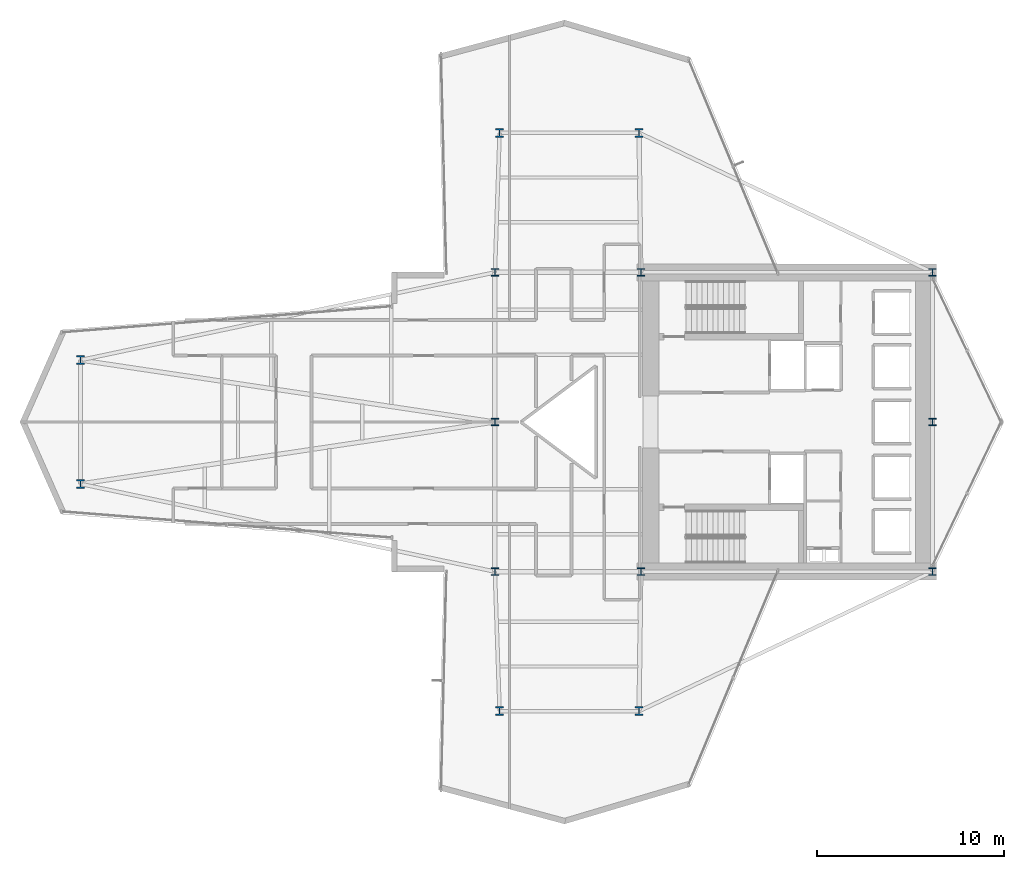
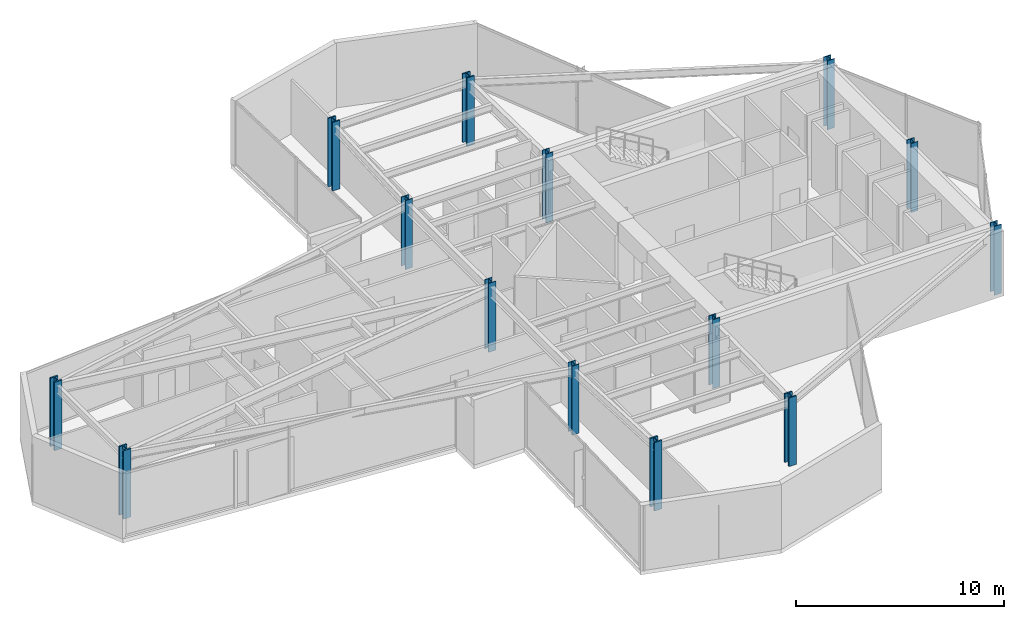
# One storey, part 1 of 25: 14 columns.
"""IFC4 building model written with IfcOpenShell, lengths in metres."""

from ifc_helpers import new_model, si_unit, direction, frame, origin, origin_2d, place, context, subcontext, project, spatial, i_section, extrude, material, material_profile, profile_set, type_object, element, save


model = new_model("IFC4")

# Units and contexts
model_context = context("Model", 3, precision=1e-05, world=origin(), true_north=direction((0.0, 1.0)))
body_context = subcontext(model_context, "Body", "Model", "MODEL_VIEW")
ifc_project = project(units=[si_unit("LENGTHUNIT", "METRE"), si_unit("AREAUNIT", "SQUARE_METRE"), si_unit("VOLUMEUNIT", "CUBIC_METRE"), si_unit("PLANEANGLEUNIT", "RADIAN"), si_unit("MASSUNIT", "GRAM", prefix="KILO")], contexts=[model_context])

# Site, building, storey
site_placement = place(None, origin())
site = spatial("IfcSite", under=ifc_project, at=site_placement, CompositionType="ELEMENT")
building_placement = place(site_placement, origin())
building = spatial("IfcBuilding", under=site, at=building_placement, Name="Veymaron Broadcast Tower", CompositionType="ELEMENT")
storey_placement = place(building_placement, frame((0.0, 0.0, 74.25)))
storey = spatial("IfcBuildingStorey", under=building, at=storey_placement, Name="L16", CompositionType="ELEMENT", Elevation=74.25)

# Columns
ifc_material = material(Name="Structural steel ASTM A913 Gr 65", Category="steel")
ifc_material_profile_1 = material_profile(ifc_material, i_section(OverallWidth=0.40087890625, OverallDepth=0.39892578125, WebThickness=0.02490234375, FlangeThickness=0.03955078125, at=origin_2d()), Name="W360X314")
ifc_profile_set_1 = profile_set([ifc_material_profile_1], Name="Structural steel ASTM A913 Gr 65")
column_type_1 = type_object("IfcColumnType", Name="COL-HC1", PredefinedType="COLUMN", material=ifc_profile_set_1)
for number, where, z_axis, x_axis, name in (
    (1, (31.199951171875, 16.0, 0.0), (0.0, 0.0, 1.0), (1.0, 0.0, 0.0), "L16 structural hub and core column"),
    (2, (31.199951171875, 24.0, 0.0), (0.0, 0.0, 1.0), (1.0, 0.0, 0.0), "L16 structural hub and core column"),
    (3, (31.199951171875, 32.0, 0.0), (0.0, 0.0, 1.0), (1.0, 0.0, 0.0), "L16 structural hub and core column"),
    (4, (39.0, 16.0, 0.0), (0.0, 0.0, 1.0), (1.0, 0.0, 0.0), "L16 structural hub and core column"),
    (5, (39.0, 32.0, 0.0), (0.0, 0.0, 1.0), (1.0, 0.0, 0.0), "L16 structural hub and core column"),
    (6, (54.60009765625, 16.0, 0.0), (0.0, 0.0, 1.0), (1.0, 0.0, 0.0), "L16 structural hub and core column"),
    (7, (54.60009765625, 24.0, 0.0), (0.0, 0.0, 1.0), (1.0, 0.0, 0.0), "L16 structural hub and core column"),
    (8, (54.60009765625, 32.0, 0.0), (0.0, 0.0, 1.0), (1.0, 0.0, 0.0), "L16 structural hub and core column"),
):
    element("IfcColumn", number, at=place(storey_placement, frame(where, z_axis=z_axis, x_axis=x_axis)), inside=storey, type_object=column_type_1, Name=name, PredefinedType="COLUMN", context=body_context, shape_type="SweptSolid", body=[
        extrude(i_section(OverallWidth=0.40087890625, OverallDepth=0.39892578125, WebThickness=0.02490234375, FlangeThickness=0.03955078125, at=origin_2d()), origin(), (0.0, 0.0, 1.0), 4.0439453125),
    ])
ifc_material_profile_2 = material_profile(ifc_material, i_section(OverallWidth=0.424072265625, OverallDepth=0.47412109375, WebThickness=0.047607421875, FlangeThickness=0.076904296875, at=origin_2d()), Name="W360X634")
ifc_profile_set_2 = profile_set([ifc_material_profile_2], Name="Structural steel ASTM A913 Gr 65")
column_type_2 = type_object("IfcColumnType", Name="COL-MC1", PredefinedType="COLUMN", material=ifc_profile_set_2)
for number, where, z_axis, x_axis, name in (
    (9, (9.0419921875, 20.68994140625, 0.01611328125), (0.0, 0.0, 1.0), (1.0, 0.0, 0.0), "L16 Tapered Wing Mega Column"),
    (10, (9.0419921875, 27.31005859375, 0.01611328125), (0.0, 0.0, 1.0), (1.0, 0.0, 0.0), "L16 Tapered Wing Mega Column"),
    (11, (31.451904296875, 39.4599609375, 0.01611328125), (0.0, 0.0, 1.0), (1.0, 0.0, 0.0), "L16 Tapered Wing Mega Column"),
    (12, (38.909912109375, 39.4599609375, 0.01611328125), (0.0, 0.0, 1.0), (1.0, 0.0, 0.0), "L16 Tapered Wing Mega Column"),
    (13, (31.451904296875, 8.5400390625, 0.01611328125), (0.0, 0.0, 1.0), (1.0, 0.0, 0.0), "L16 Tapered Wing Mega Column"),
    (14, (38.909912109375, 8.5400390625, 0.01611328125), (0.0, 0.0, 1.0), (1.0, 0.0, 0.0), "L16 Tapered Wing Mega Column"),
):
    element("IfcColumn", number, at=place(storey_placement, frame(where, z_axis=z_axis, x_axis=x_axis)), inside=storey, type_object=column_type_2, Name=name, PredefinedType="COLUMN", context=body_context, shape_type="SweptSolid", body=[
        extrude(i_section(OverallWidth=0.424072265625, OverallDepth=0.47412109375, WebThickness=0.047607421875, FlangeThickness=0.076904296875, at=origin_2d()), origin(), (0.0, 0.0, 1.0), 4.017822265625),
    ])

save(model, "model.ifc")
